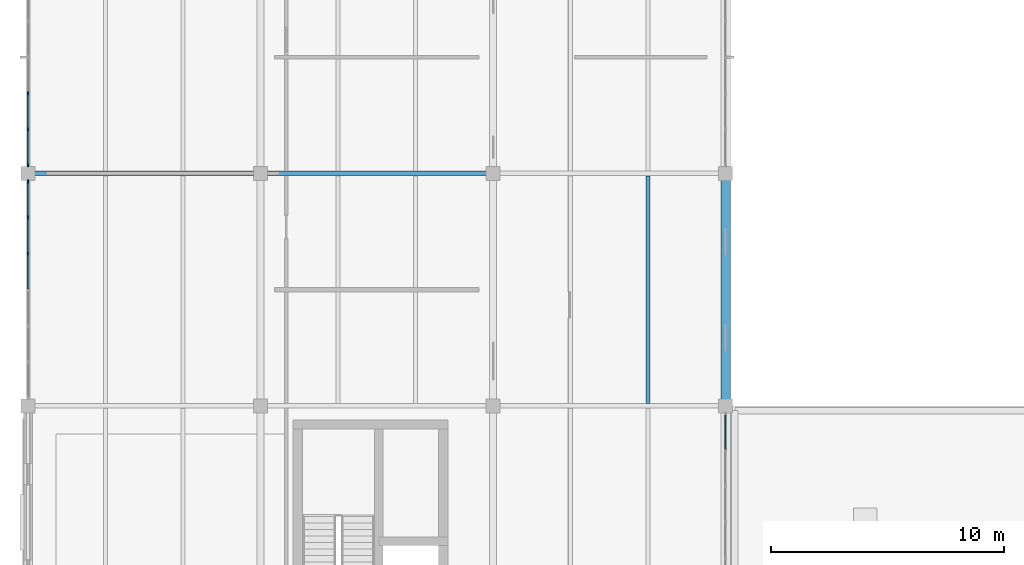
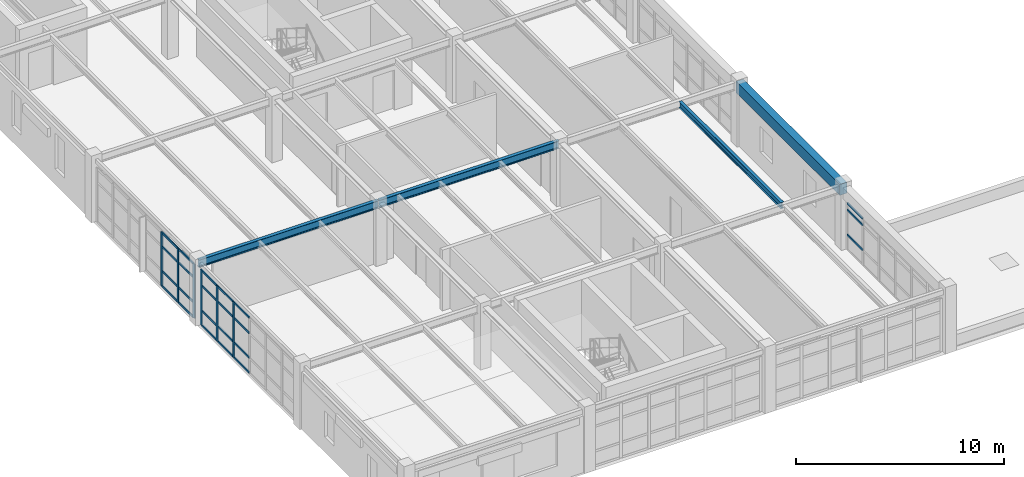
# One storey, part 8 of 23: 29 members, 4 beams, 3 elements without a shape of their own.
"""IFC4 building model written with IfcOpenShell, lengths in metres."""

from ifc_helpers import new_model, si_unit, direction, frame, origin, origin_2d, place, context, subcontext, project, spatial, rectangle, i_section, extrude, material, layer, layer_set, material_profile, profile_set, type_object, element, aggregate, save


model = new_model("IFC4")

# Units and contexts
model_context = context("Model", 3, precision=1e-05, world=origin(), true_north=direction((0.0, 1.0)))
body_context = subcontext(model_context, "Body", "Model", "MODEL_VIEW")
ifc_project = project(units=[si_unit("LENGTHUNIT", "METRE"), si_unit("AREAUNIT", "SQUARE_METRE"), si_unit("VOLUMEUNIT", "CUBIC_METRE"), si_unit("PLANEANGLEUNIT", "RADIAN"), si_unit("MASSUNIT", "GRAM", prefix="KILO"), si_unit("THERMODYNAMICTEMPERATUREUNIT", "KELVIN"), si_unit("POWERUNIT", "WATT")], contexts=[model_context])

# Site, building, storey
site_placement = place(None, origin())
site = spatial("IfcSite", under=ifc_project, at=site_placement, CompositionType="ELEMENT")
building_placement = place(site_placement, origin())
building = spatial("IfcBuilding", under=site, at=building_placement, Name="Korenveer Ferry Terminal", CompositionType="ELEMENT")
storey_placement = place(building_placement, frame((0.0, 0.0, 14.39990234375)))
storey = spatial("IfcBuildingStorey", under=building, at=storey_placement, Name="L03", CompositionType="ELEMENT", Elevation=14.39990234375)

# Curtain wall, members
ifc_material_1 = material(Name="Unitised bronze-and-glass curtain wall", Category="glass")
ifc_layer_1 = layer(ifc_material_1, 0.159912109375)
ifc_layer_set_1 = layer_set([ifc_layer_1], Name="Unitised bronze-and-glass curtain wall")
curtain_wall_type_1 = type_object("IfcCurtainWallType", Name="ENV-CW-108", PredefinedType="USERDEFINED", material=ifc_layer_set_1)
curtain_wall_1_placement = place(storey_placement, frame((0.0, 30.330078125, 0.0)))
curtain_wall_1 = element("IfcCurtainWall", 1, at=curtain_wall_1_placement, inside=storey, type_object=curtain_wall_type_1, Name="Lancet curtain wall CWX-L03-X0-0-Y30-40", ObjectType="UNITISED CURTAIN WALL", PredefinedType="USERDEFINED")
ifc_material_2 = material(Name="Anodised bronze aluminium", Category="aluminium")
ifc_material_profile_1 = material_profile(ifc_material_2, rectangle(XDim=0.06005859375, YDim=0.159912109375, at=origin_2d()), Name="ALU 60x160")
ifc_profile_set_1 = profile_set([ifc_material_profile_1], Name="Anodised bronze aluminium")
member_type_1 = type_object("IfcMemberType", Name="ENV-CWM-60X160", PredefinedType="MULLION", material=ifc_profile_set_1)
member_1_placement = place(storey_placement, frame((0.0, 36.556640625, 0.0), z_axis=(0.0, 0.0, 1.0), x_axis=(-1.0, 0.0, 0.0)))
member_1 = element("IfcMember", 2, at=member_1_placement, type_object=member_type_1, Name="CW-108 mullion 5", PredefinedType="MULLION", context=body_context, shape_type="SweptSolid", body=[
    extrude(rectangle(XDim=0.06005859375, YDim=0.159912109375, at=origin_2d()), origin(), (0.0, 0.0, 1.0), 3.27001953125),
])
member_2_placement = place(storey_placement, frame((0.0, 38.11328125, 0.0), z_axis=(0.0, 0.0, 1.0), x_axis=(-1.0, 0.0, 0.0)))
member_2 = element("IfcMember", 3, at=member_2_placement, type_object=member_type_1, Name="CW-108 mullion 6", PredefinedType="MULLION", context=body_context, shape_type="SweptSolid", body=[
    extrude(rectangle(XDim=0.06005859375, YDim=0.159912109375, at=origin_2d()), origin(), (0.0, 0.0, 1.0), 3.27001953125),
])
member_3_placement = place(storey_placement, frame((0.0, 39.639892578125, 0.0), z_axis=(0.0, 0.0, 1.0), x_axis=(-1.0, 0.0, 0.0)))
member_3 = element("IfcMember", 4, at=member_3_placement, type_object=member_type_1, Name="CW-108 mullion 7", PredefinedType="MULLION", context=body_context, shape_type="SweptSolid", body=[
    extrude(rectangle(XDim=0.06005859375, YDim=0.159912109375, at=origin_2d()), origin(), (0.0, 0.0, 1.0), 3.27001953125),
])

ifc_layer_2 = layer(ifc_material_1, 0.159912109375)
ifc_layer_set_2 = layer_set([ifc_layer_2], Name="Unitised bronze-and-glass curtain wall")
curtain_wall_type_2 = type_object("IfcCurtainWallType", Name="ENV-CW-109", PredefinedType="USERDEFINED", material=ifc_layer_set_2)
curtain_wall_2_placement = place(storey_placement, frame((0.0, 40.330078125, 0.0)))
curtain_wall_2 = element("IfcCurtainWall", 5, at=curtain_wall_2_placement, inside=storey, type_object=curtain_wall_type_2, Name="Lancet curtain wall CWX-L03-X0-0-Y40-50", ObjectType="UNITISED CURTAIN WALL", PredefinedType="USERDEFINED")
member_4_placement = place(storey_placement, frame((0.0, 40.360107421875, 0.0), z_axis=(0.0, 0.0, 1.0), x_axis=(-1.0, 0.0, 0.0)))
member_4 = element("IfcMember", 6, at=member_4_placement, type_object=member_type_1, Name="CW-109 mullion 1", PredefinedType="MULLION", context=body_context, shape_type="SweptSolid", body=[
    extrude(rectangle(XDim=0.06005859375, YDim=0.159912109375, at=origin_2d()), origin(), (0.0, 0.0, 1.0), 3.170166015625),
])
member_5_placement = place(storey_placement, frame((0.0, 41.88671875, 0.0), z_axis=(0.0, 0.0, 1.0), x_axis=(-1.0, 0.0, 0.0)))
member_5 = element("IfcMember", 7, at=member_5_placement, type_object=member_type_1, Name="CW-109 mullion 2", PredefinedType="MULLION", context=body_context, shape_type="SweptSolid", body=[
    extrude(rectangle(XDim=0.06005859375, YDim=0.159912109375, at=origin_2d()), origin(), (0.0, 0.0, 1.0), 3.170166015625),
])
member_6_placement = place(storey_placement, frame((0.0, 43.443359375, 0.0), z_axis=(0.0, 0.0, 1.0), x_axis=(-1.0, 0.0, 0.0)))
member_6 = element("IfcMember", 8, at=member_6_placement, type_object=member_type_1, Name="CW-109 mullion 3", PredefinedType="MULLION", context=body_context, shape_type="SweptSolid", body=[
    extrude(rectangle(XDim=0.06005859375, YDim=0.159912109375, at=origin_2d()), origin(), (0.0, 0.0, 1.0), 3.170166015625),
])

# Member
ifc_material_profile_2 = material_profile(ifc_material_2, rectangle(XDim=0.06005859375, YDim=0.1201171875, at=origin_2d()), Name="ALU 60x120")
ifc_profile_set_2 = profile_set([ifc_material_profile_2], Name="Anodised bronze aluminium")
member_type_2 = type_object("IfcMemberType", Name="ENV-CWT-60X120", PredefinedType="USERDEFINED", material=ifc_profile_set_2)
member_7_placement = place(storey_placement, frame((0.0, 35.030029296875, 0.030029296875), z_axis=(0.0, 1.0, 0.0), x_axis=(-1.0, 0.0, 0.0)))
member_7 = element("IfcMember", 9, at=member_7_placement, type_object=member_type_2, Name="CW-108 transom 4.1", ObjectType="TRANSOM", PredefinedType="USERDEFINED", context=body_context, shape_type="SweptSolid", body=[
    extrude(rectangle(XDim=0.06005859375, YDim=0.1201171875, at=origin_2d()), origin(), (0.0, 0.0, 1.0), 1.49658203125),
])

member_8_placement = place(storey_placement, frame((0.0, 35.030029296875, 0.900146484375), z_axis=(0.0, 1.0, 0.0), x_axis=(-1.0, 0.0, 0.0)))
member_8 = element("IfcMember", 10, at=member_8_placement, type_object=member_type_2, Name="CW-108 transom 4.2", ObjectType="TRANSOM", PredefinedType="USERDEFINED", context=body_context, shape_type="SweptSolid", body=[
    extrude(rectangle(XDim=0.06005859375, YDim=0.1201171875, at=origin_2d()), origin(), (0.0, 0.0, 1.0), 1.49658203125),
])

member_9_placement = place(storey_placement, frame((0.0, 35.030029296875, 2.35009765625), z_axis=(0.0, 1.0, 0.0), x_axis=(-1.0, 0.0, 0.0)))
member_9 = element("IfcMember", 11, at=member_9_placement, type_object=member_type_2, Name="CW-108 transom 4.3", ObjectType="TRANSOM", PredefinedType="USERDEFINED", context=body_context, shape_type="SweptSolid", body=[
    extrude(rectangle(XDim=0.06005859375, YDim=0.1201171875, at=origin_2d()), origin(), (0.0, 0.0, 1.0), 1.49658203125),
])

member_10_placement = place(storey_placement, frame((0.0, 35.030029296875, 3.239990234375), z_axis=(0.0, 1.0, 0.0), x_axis=(-1.0, 0.0, 0.0)))
member_10 = element("IfcMember", 12, at=member_10_placement, type_object=member_type_2, Name="CW-108 transom 4.4", ObjectType="TRANSOM", PredefinedType="USERDEFINED", context=body_context, shape_type="SweptSolid", body=[
    extrude(rectangle(XDim=0.06005859375, YDim=0.1201171875, at=origin_2d()), origin(), (0.0, 0.0, 1.0), 1.49658203125),
])

member_11_placement = place(storey_placement, frame((0.0, 36.586669921875, 0.030029296875), z_axis=(0.0, 1.0, 0.0), x_axis=(-1.0, 0.0, 0.0)))
member_11 = element("IfcMember", 13, at=member_11_placement, type_object=member_type_2, Name="CW-108 transom 5.1", ObjectType="TRANSOM", PredefinedType="USERDEFINED", context=body_context, shape_type="SweptSolid", body=[
    extrude(rectangle(XDim=0.06005859375, YDim=0.1201171875, at=origin_2d()), origin(), (0.0, 0.0, 1.0), 1.49658203125),
])

member_12_placement = place(storey_placement, frame((0.0, 36.586669921875, 0.900146484375), z_axis=(0.0, 1.0, 0.0), x_axis=(-1.0, 0.0, 0.0)))
member_12 = element("IfcMember", 14, at=member_12_placement, type_object=member_type_2, Name="CW-108 transom 5.2", ObjectType="TRANSOM", PredefinedType="USERDEFINED", context=body_context, shape_type="SweptSolid", body=[
    extrude(rectangle(XDim=0.06005859375, YDim=0.1201171875, at=origin_2d()), origin(), (0.0, 0.0, 1.0), 1.49658203125),
])

member_13_placement = place(storey_placement, frame((0.0, 36.586669921875, 2.35009765625), z_axis=(0.0, 1.0, 0.0), x_axis=(-1.0, 0.0, 0.0)))
member_13 = element("IfcMember", 15, at=member_13_placement, type_object=member_type_2, Name="CW-108 transom 5.3", ObjectType="TRANSOM", PredefinedType="USERDEFINED", context=body_context, shape_type="SweptSolid", body=[
    extrude(rectangle(XDim=0.06005859375, YDim=0.1201171875, at=origin_2d()), origin(), (0.0, 0.0, 1.0), 1.49658203125),
])

member_14_placement = place(storey_placement, frame((0.0, 36.586669921875, 3.239990234375), z_axis=(0.0, 1.0, 0.0), x_axis=(-1.0, 0.0, 0.0)))
member_14 = element("IfcMember", 16, at=member_14_placement, type_object=member_type_2, Name="CW-108 transom 5.4", ObjectType="TRANSOM", PredefinedType="USERDEFINED", context=body_context, shape_type="SweptSolid", body=[
    extrude(rectangle(XDim=0.06005859375, YDim=0.1201171875, at=origin_2d()), origin(), (0.0, 0.0, 1.0), 1.49658203125),
])

member_15_placement = place(storey_placement, frame((0.0, 38.143310546875, 0.030029296875), z_axis=(0.0, 1.0, 0.0), x_axis=(-1.0, 0.0, 0.0)))
member_15 = element("IfcMember", 17, at=member_15_placement, type_object=member_type_2, Name="CW-108 transom 6.1", ObjectType="TRANSOM", PredefinedType="USERDEFINED", context=body_context, shape_type="SweptSolid", body=[
    extrude(rectangle(XDim=0.06005859375, YDim=0.1201171875, at=origin_2d()), origin(), (0.0, 0.0, 1.0), 1.466796875),
])

member_16_placement = place(storey_placement, frame((0.0, 38.143310546875, 0.900146484375), z_axis=(0.0, 1.0, 0.0), x_axis=(-1.0, 0.0, 0.0)))
member_16 = element("IfcMember", 18, at=member_16_placement, type_object=member_type_2, Name="CW-108 transom 6.2", ObjectType="TRANSOM", PredefinedType="USERDEFINED", context=body_context, shape_type="SweptSolid", body=[
    extrude(rectangle(XDim=0.06005859375, YDim=0.1201171875, at=origin_2d()), origin(), (0.0, 0.0, 1.0), 1.466796875),
])

member_17_placement = place(storey_placement, frame((0.0, 38.143310546875, 2.35009765625), z_axis=(0.0, 1.0, 0.0), x_axis=(-1.0, 0.0, 0.0)))
member_17 = element("IfcMember", 19, at=member_17_placement, type_object=member_type_2, Name="CW-108 transom 6.3", ObjectType="TRANSOM", PredefinedType="USERDEFINED", context=body_context, shape_type="SweptSolid", body=[
    extrude(rectangle(XDim=0.06005859375, YDim=0.1201171875, at=origin_2d()), origin(), (0.0, 0.0, 1.0), 1.466796875),
])

member_18_placement = place(storey_placement, frame((0.0, 38.143310546875, 3.239990234375), z_axis=(0.0, 1.0, 0.0), x_axis=(-1.0, 0.0, 0.0)))
member_18 = element("IfcMember", 20, at=member_18_placement, type_object=member_type_2, Name="CW-108 transom 6.4", ObjectType="TRANSOM", PredefinedType="USERDEFINED", context=body_context, shape_type="SweptSolid", body=[
    extrude(rectangle(XDim=0.06005859375, YDim=0.1201171875, at=origin_2d()), origin(), (0.0, 0.0, 1.0), 1.466796875),
])

aggregate(curtain_wall_1, [member_1, member_2, member_3, member_7, member_8, member_9, member_10, member_11, member_12, member_13, member_14, member_15, member_16, member_17, member_18])

member_19_placement = place(storey_placement, frame((0.0, 40.389892578125, 0.030029296875), z_axis=(0.0, 1.0, 0.0), x_axis=(-1.0, 0.0, 0.0)))
member_19 = element("IfcMember", 21, at=member_19_placement, type_object=member_type_2, Name="CW-109 transom 1.1", ObjectType="TRANSOM", PredefinedType="USERDEFINED", context=body_context, shape_type="SweptSolid", body=[
    extrude(rectangle(XDim=0.06005859375, YDim=0.1201171875, at=origin_2d()), origin(), (0.0, 0.0, 1.0), 1.466796875),
])

member_20_placement = place(storey_placement, frame((0.0, 40.389892578125, 0.900146484375), z_axis=(0.0, 1.0, 0.0), x_axis=(-1.0, 0.0, 0.0)))
member_20 = element("IfcMember", 22, at=member_20_placement, type_object=member_type_2, Name="CW-109 transom 1.2", ObjectType="TRANSOM", PredefinedType="USERDEFINED", context=body_context, shape_type="SweptSolid", body=[
    extrude(rectangle(XDim=0.06005859375, YDim=0.1201171875, at=origin_2d()), origin(), (0.0, 0.0, 1.0), 1.466796875),
])

member_21_placement = place(storey_placement, frame((0.0, 40.389892578125, 2.35009765625), z_axis=(0.0, 1.0, 0.0), x_axis=(-1.0, 0.0, 0.0)))
member_21 = element("IfcMember", 23, at=member_21_placement, type_object=member_type_2, Name="CW-109 transom 1.3", ObjectType="TRANSOM", PredefinedType="USERDEFINED", context=body_context, shape_type="SweptSolid", body=[
    extrude(rectangle(XDim=0.06005859375, YDim=0.1201171875, at=origin_2d()), origin(), (0.0, 0.0, 1.0), 1.466796875),
])

member_22_placement = place(storey_placement, frame((0.0, 40.389892578125, 3.14013671875), z_axis=(0.0, 1.0, 0.0), x_axis=(-1.0, 0.0, 0.0)))
member_22 = element("IfcMember", 24, at=member_22_placement, type_object=member_type_2, Name="CW-109 transom 1.4", ObjectType="TRANSOM", PredefinedType="USERDEFINED", context=body_context, shape_type="SweptSolid", body=[
    extrude(rectangle(XDim=0.06005859375, YDim=0.1201171875, at=origin_2d()), origin(), (0.0, 0.0, 1.0), 1.466796875),
])

member_23_placement = place(storey_placement, frame((0.0, 41.916748046875, 0.030029296875), z_axis=(0.0, 1.0, 0.0), x_axis=(-1.0, 0.0, 0.0)))
member_23 = element("IfcMember", 25, at=member_23_placement, type_object=member_type_2, Name="CW-109 transom 2.1", ObjectType="TRANSOM", PredefinedType="USERDEFINED", context=body_context, shape_type="SweptSolid", body=[
    extrude(rectangle(XDim=0.06005859375, YDim=0.1201171875, at=origin_2d()), origin(), (0.0, 0.0, 1.0), 1.49658203125),
])

member_24_placement = place(storey_placement, frame((0.0, 41.916748046875, 0.900146484375), z_axis=(0.0, 1.0, 0.0), x_axis=(-1.0, 0.0, 0.0)))
member_24 = element("IfcMember", 26, at=member_24_placement, type_object=member_type_2, Name="CW-109 transom 2.2", ObjectType="TRANSOM", PredefinedType="USERDEFINED", context=body_context, shape_type="SweptSolid", body=[
    extrude(rectangle(XDim=0.06005859375, YDim=0.1201171875, at=origin_2d()), origin(), (0.0, 0.0, 1.0), 1.49658203125),
])

member_25_placement = place(storey_placement, frame((0.0, 41.916748046875, 2.35009765625), z_axis=(0.0, 1.0, 0.0), x_axis=(-1.0, 0.0, 0.0)))
member_25 = element("IfcMember", 27, at=member_25_placement, type_object=member_type_2, Name="CW-109 transom 2.3", ObjectType="TRANSOM", PredefinedType="USERDEFINED", context=body_context, shape_type="SweptSolid", body=[
    extrude(rectangle(XDim=0.06005859375, YDim=0.1201171875, at=origin_2d()), origin(), (0.0, 0.0, 1.0), 1.49658203125),
])

member_26_placement = place(storey_placement, frame((0.0, 41.916748046875, 3.14013671875), z_axis=(0.0, 1.0, 0.0), x_axis=(-1.0, 0.0, 0.0)))
member_26 = element("IfcMember", 28, at=member_26_placement, type_object=member_type_2, Name="CW-109 transom 2.4", ObjectType="TRANSOM", PredefinedType="USERDEFINED", context=body_context, shape_type="SweptSolid", body=[
    extrude(rectangle(XDim=0.06005859375, YDim=0.1201171875, at=origin_2d()), origin(), (0.0, 0.0, 1.0), 1.49658203125),
])

aggregate(curtain_wall_2, [member_4, member_5, member_6, member_19, member_20, member_21, member_22, member_23, member_24, member_25, member_26])

# Curtain wall, members
ifc_layer_3 = layer(ifc_material_1, 0.159912109375)
ifc_layer_set_3 = layer_set([ifc_layer_3], Name="Unitised bronze-and-glass curtain wall")
curtain_wall_type_3 = type_object("IfcCurtainWallType", Name="ENV-CW-127", PredefinedType="USERDEFINED", material=ifc_layer_set_3)
curtain_wall_3_placement = place(storey_placement, frame((30.0, 29.669921875, 0.0)))
curtain_wall_3 = element("IfcCurtainWall", 29, at=curtain_wall_3_placement, inside=storey, type_object=curtain_wall_type_3, Name="Lancet curtain wall CWX-L03-X30-30-Y20-30", ObjectType="UNITISED CURTAIN WALL", PredefinedType="USERDEFINED")
member_27_placement = place(storey_placement, frame((30.0, 29.610107421875, 0.900146484375), z_axis=(0.0, -1.0, 0.0), x_axis=(1.0, 0.0, 0.0)))
member_27 = element("IfcMember", 30, at=member_27_placement, type_object=member_type_2, Name="CW-127 transom 1.2", ObjectType="TRANSOM", PredefinedType="USERDEFINED", context=body_context, shape_type="SweptSolid", body=[
    extrude(rectangle(XDim=0.06005859375, YDim=0.1201171875, at=origin_2d()), origin(), (0.0, 0.0, 1.0), 1.466796875),
])
member_28_placement = place(storey_placement, frame((30.0, 29.610107421875, 2.35009765625), z_axis=(0.0, -1.0, 0.0), x_axis=(1.0, 0.0, 0.0)))
member_28 = element("IfcMember", 31, at=member_28_placement, type_object=member_type_2, Name="CW-127 transom 1.3", ObjectType="TRANSOM", PredefinedType="USERDEFINED", context=body_context, shape_type="SweptSolid", body=[
    extrude(rectangle(XDim=0.06005859375, YDim=0.1201171875, at=origin_2d()), origin(), (0.0, 0.0, 1.0), 1.466796875),
])
member_29_placement = place(storey_placement, frame((30.0, 29.610107421875, 2.739990234375), z_axis=(0.0, -1.0, 0.0), x_axis=(1.0, 0.0, 0.0)))
member_29 = element("IfcMember", 32, at=member_29_placement, type_object=member_type_2, Name="CW-127 transom 1.4", ObjectType="TRANSOM", PredefinedType="USERDEFINED", context=body_context, shape_type="SweptSolid", body=[
    extrude(rectangle(XDim=0.06005859375, YDim=0.1201171875, at=origin_2d()), origin(), (0.0, 0.0, 1.0), 1.466796875),
])
aggregate(curtain_wall_3, [member_27, member_28, member_29])

# Beams
ifc_material_3 = material(Name="Steel S355", Category="steel")
ifc_material_profile_3 = material_profile(ifc_material_3, i_section(OverallWidth=0.18994140625, OverallDepth=0.449951171875, WebThickness=0.009521484375, FlangeThickness=0.0146484375, FilletRadius=0.02099609375, at=origin_2d()), Name="IPE 450")
ifc_profile_set_3 = profile_set([ifc_material_profile_3], Name="Steel S355")
beam_type_1 = type_object("IfcBeamType", Name="STR-BM-IPE450", PredefinedType="BEAM", material=ifc_profile_set_3)
for number, where, z_axis, x_axis, name in (
    (33, (0.02001953125, 40.0, 3.425048828125), (1.0, 0.0, 0.0), (0.0, 1.0, 0.0), "Primary X girder BMX-L04-X0-10-Y40"),
    (34, (10.02001953125, 40.0, 3.425048828125), (1.0, 0.0, 0.0), (0.0, 1.0, 0.0), "Primary X girder BMX-L04-X10-20-Y40"),
):
    element("IfcBeam", number, at=place(storey_placement, frame(where, z_axis=z_axis, x_axis=x_axis)), inside=storey, type_object=beam_type_1, Name=name, PredefinedType="BEAM", context=body_context, shape_type="SweptSolid", body=[
        extrude(i_section(OverallWidth=0.18994140625, OverallDepth=0.449951171875, WebThickness=0.009521484375, FlangeThickness=0.0146484375, FilletRadius=0.02099609375, at=origin_2d()), origin(), (0.0, 0.0, 1.0), 9.9599609375),
    ])
ifc_material_4 = material(Name="Concrete C40/50", Category="concrete")
ifc_material_profile_4 = material_profile(ifc_material_4, rectangle(XDim=0.39990234375, YDim=0.64990234375, at=origin_2d()), Name="RC 400x650")
ifc_profile_set_4 = profile_set([ifc_material_profile_4], Name="Concrete C40/50")
beam_type_2 = type_object("IfcBeamType", Name="STR-BM-RC400X650", PredefinedType="BEAM", material=ifc_profile_set_4)
beam_1_placement = place(storey_placement, frame((30.0, 30.02001953125, 3.3251953125), z_axis=(0.0, 1.0, 0.0), x_axis=(-1.0, 0.0, 0.0)))
element("IfcBeam", 35, at=beam_1_placement, inside=storey, type_object=beam_type_2, Name="Primary Y girder BMY-L04-X30-Y30-40", PredefinedType="BEAM", context=body_context, shape_type="SweptSolid", body=[
    extrude(rectangle(XDim=0.39990234375, YDim=0.64990234375, at=origin_2d()), origin(), (0.0, 0.0, 1.0), 9.9599609375),
])
ifc_material_profile_5 = material_profile(ifc_material_3, i_section(OverallWidth=0.169921875, OverallDepth=0.360107421875, WebThickness=0.008056640625, FlangeThickness=0.0126953125, FilletRadius=0.01806640625, at=origin_2d()), Name="IPE 360")
ifc_profile_set_5 = profile_set([ifc_material_profile_5], Name="Steel S355")
beam_type_3 = type_object("IfcBeamType", Name="STR-JST-IPE360", PredefinedType="JOIST", material=ifc_profile_set_5)
beam_2_placement = place(storey_placement, frame((26.666748046875, 30.10498046875, 3.47021484375), z_axis=(0.0, 1.0, 0.0), x_axis=(-1.0, 0.0, 0.0)))
element("IfcBeam", 36, at=beam_2_placement, inside=storey, type_object=beam_type_3, Name="Secondary composite joist JST-L04-X267-Y30-40", PredefinedType="JOIST", context=body_context, shape_type="SweptSolid", body=[
    extrude(i_section(OverallWidth=0.169921875, OverallDepth=0.360107421875, WebThickness=0.008056640625, FlangeThickness=0.0126953125, FilletRadius=0.01806640625, at=origin_2d()), origin(), (0.0, 0.0, 1.0), 9.7900390625),
])

save(model, "model.ifc")
